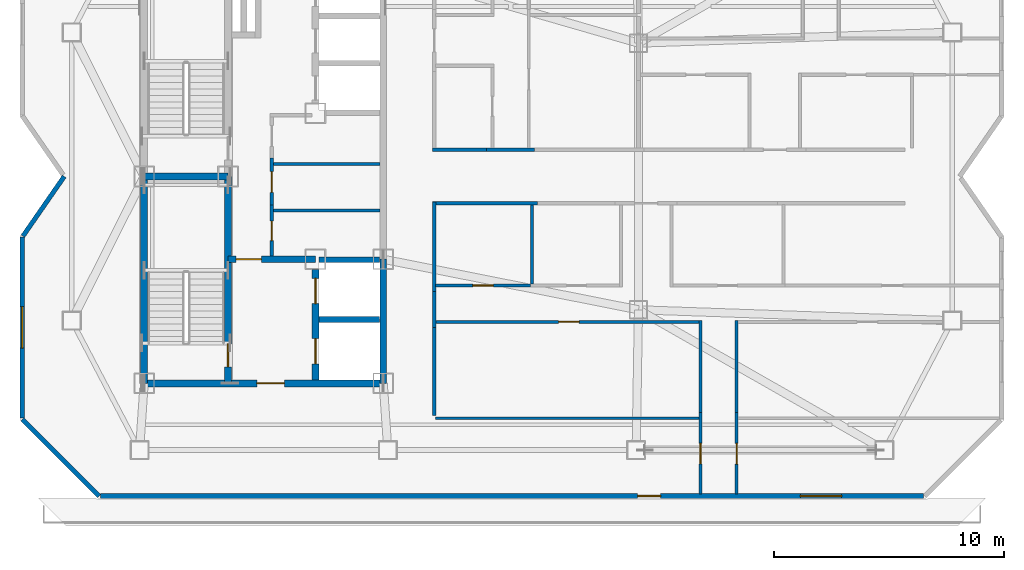
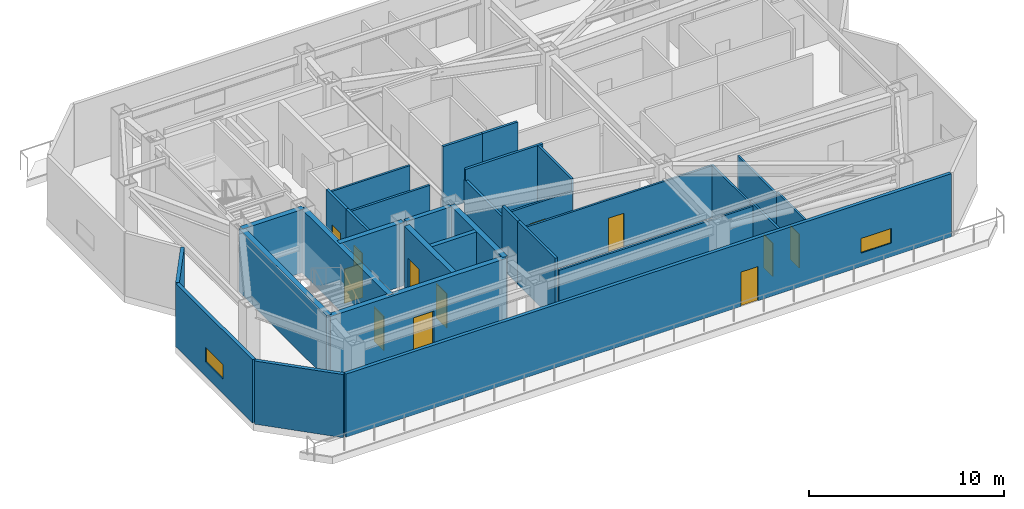
# One storey, part 4 of 11: 31 walls, 12 doors, 2 windows, 14 openings.
"""IFC4 building model written with IfcOpenShell, lengths in metres."""

from ifc_helpers import new_model, si_unit, direction, frame, frame_2d, origin, place, context, subcontext, project, spatial, rectangle, extrude, material, layer, layer_set, type_object, element, fill, save


model = new_model("IFC4")

# Units and contexts
model_context = context("Model", 3, precision=1e-05, world=origin(), true_north=direction((0.0, 1.0)))
body_context = subcontext(model_context, "Body", "Model", "MODEL_VIEW")
ifc_project = project(units=[si_unit("LENGTHUNIT", "METRE"), si_unit("AREAUNIT", "SQUARE_METRE"), si_unit("VOLUMEUNIT", "CUBIC_METRE"), si_unit("PLANEANGLEUNIT", "RADIAN"), si_unit("MASSUNIT", "GRAM", prefix="KILO")], contexts=[model_context])

# Site, building, storey
site_placement = place(None, origin())
site = spatial("IfcSite", under=ifc_project, at=site_placement, CompositionType="ELEMENT")
building_placement = place(site_placement, origin())
building = spatial("IfcBuilding", under=site, at=building_placement, Name="Khamvora Tower", CompositionType="ELEMENT")
storey_placement = place(building_placement, frame((0.0, 0.0, 277.85009765625)))
storey = spatial("IfcBuildingStorey", under=building, at=storey_placement, Name="L71", CompositionType="ELEMENT", Elevation=277.85009765625)

# Wall
ifc_material_1 = material(Name="Concrete C50/60", Category="concrete")
ifc_layer_1 = layer(ifc_material_1, 0.300048828125)
ifc_layer_set_1 = layer_set([ifc_layer_1], Name="Concrete C50/60")
wall_type_1 = type_object("IfcWallType", Name="WAL-CORE-300", PredefinedType="SHEAR", material=ifc_layer_set_1)
wall_1_placement = place(storey_placement, frame((29.0, 19.0, 0.0), z_axis=(0.0, 0.0, 1.0), x_axis=(0.0, 1.0, 0.0)))
element("IfcWall", 1, at=wall_1_placement, inside=storey, type_object=wall_type_1, Name="L71 central core west south wall", PredefinedType="SHEAR", context=body_context, shape_type="SweptSolid", body=[
    extrude(rectangle(XDim=9.0, YDim=0.300048828125, at=frame_2d((4.5, 0.0))), origin(), (0.0, 0.0, 1.0), 3.949951171875),
])

# Wall, opening, door
wall_2_placement = place(storey_placement, frame((29.0, 19.0, 0.0), z_axis=(0.0, 0.0, 1.0), x_axis=(1.0, 0.0, 0.0)))
wall_2 = element("IfcWall", 2, at=wall_2_placement, inside=storey, type_object=wall_type_1, Name="L71 central core south wall", PredefinedType="SHEAR", context=body_context, shape_type="SweptSolid", body=[
    extrude(rectangle(XDim=10.39990234375, YDim=0.300048828125, at=frame_2d((5.199951171875, 0.0))), origin(), (0.0, 0.0, 1.0), 3.949951171875),
])
opening_1_placement = place(wall_2_placement, frame((4.89990234375, 0.0, 0.0)))
opening_1 = element("IfcOpeningElement", 3, at=opening_1_placement, cuts=wall_2, Name="Opening D-CR1", PredefinedType="OPENING", context=body_context, shape_type="SweptSolid", body=[
    extrude(rectangle(XDim=1.199951171875, YDim=2.14990234375, at=frame_2d((0.60009765625, 1.074951171875))), frame((0.0, 0.159912109375, 0.0), z_axis=(0.0, -1.0, 0.0), x_axis=(1.0, 0.0, 0.0)), (0.0, 0.0, 1.0), 0.320068359375),
])
ifc_material_2 = material(Name="Powder-Coated Steel and Hardwood Leaf", Category="steel")
door_type_1 = type_object("IfcDoorType", Name="DOR-CORR-1200", OperationType="NOTDEFINED", PredefinedType="DOOR", material=ifc_material_2)
door_1_placement = place(opening_1_placement, origin())
door_1 = element("IfcDoor", 4, at=door_1_placement, inside=storey, type_object=door_type_1, Name="L71 south core lobby to corridor fire door", OperationType="SINGLE_SWING_RIGHT", OverallHeight=2.14990234375, OverallWidth=1.199951171875, PredefinedType="DOOR", context=body_context, shape_type="SweptSolid", body=[
    extrude(rectangle(XDim=1.199951171875, YDim=2.14990234375, at=frame_2d((0.60009765625, 1.074951171875))), frame((0.0, 0.02490234375, 0.0), z_axis=(0.0, -1.0, 0.0), x_axis=(1.0, 0.0, 0.0)), (0.0, 0.0, 1.0), 0.050048828125),
])
fill(opening_1, door_1)

# Wall
wall_3_placement = place(storey_placement, frame((39.39990234375, 19.0, 0.0), z_axis=(0.0, 0.0, 1.0), x_axis=(0.0, 1.0, 0.0)))
element("IfcWall", 5, at=wall_3_placement, inside=storey, type_object=wall_type_1, Name="L71 central core east south wall", PredefinedType="SHEAR", context=body_context, shape_type="SweptSolid", body=[
    extrude(rectangle(XDim=5.39990234375, YDim=0.300048828125, at=frame_2d((2.699951171875, 0.0))), origin(), (0.0, 0.0, 1.0), 3.949951171875),
])

# Wall, opening, door
wall_4_placement = place(storey_placement, frame((32.64990234375, 19.0, 0.0), z_axis=(0.0, 0.0, 1.0), x_axis=(0.0, 1.0, 0.0)))
wall_4 = element("IfcWall", 6, at=wall_4_placement, inside=storey, type_object=wall_type_1, Name="L71 central core stair south spine wall", PredefinedType="SHEAR", context=body_context, shape_type="SweptSolid", body=[
    extrude(rectangle(XDim=9.0, YDim=0.300048828125, at=frame_2d((4.5, 0.0))), origin(), (0.0, 0.0, 1.0), 3.949951171875),
])
opening_2_placement = place(wall_4_placement, frame((0.719970703125, 0.0, 0.0)))
opening_2 = element("IfcOpeningElement", 7, at=opening_2_placement, cuts=wall_4, Name="Opening D-ST1", PredefinedType="OPENING", context=body_context, shape_type="SweptSolid", body=[
    extrude(rectangle(XDim=1.0, YDim=2.14990234375, at=frame_2d((0.5, 1.074951171875))), frame((0.0, 0.159912109375, 0.0), z_axis=(0.0, -1.0, 0.0), x_axis=(1.0, 0.0, 0.0)), (0.0, 0.0, 1.0), 0.320068359375),
])
door_type_2 = type_object("IfcDoorType", Name="DOR-STAIR-1000", OperationType="NOTDEFINED", PredefinedType="DOOR", material=ifc_material_2)
door_2_placement = place(opening_2_placement, origin())
door_2 = element("IfcDoor", 8, at=door_2_placement, inside=storey, type_object=door_type_2, Name="L71 exit stair ST-01 fire door", OperationType="SINGLE_SWING_RIGHT", OverallHeight=2.14990234375, OverallWidth=1.0, PredefinedType="DOOR", context=body_context, shape_type="SweptSolid", body=[
    extrude(rectangle(XDim=1.0, YDim=2.14990234375, at=frame_2d((0.5, 1.074951171875))), frame((0.0, 0.02490234375, 0.0), z_axis=(0.0, -1.0, 0.0), x_axis=(1.0, 0.0, 0.0)), (0.0, 0.0, 1.0), 0.050048828125),
])
fill(opening_2, door_2)

# Wall
wall_5_placement = place(storey_placement, frame((29.0, 28.0, 0.0), z_axis=(0.0, 0.0, 1.0), x_axis=(1.0, 0.0, 0.0)))
element("IfcWall", 9, at=wall_5_placement, inside=storey, type_object=wall_type_1, Name="L71 central core stair cross wall", PredefinedType="SHEAR", context=body_context, shape_type="SweptSolid", body=[
    extrude(rectangle(XDim=3.64990234375, YDim=0.300048828125, at=frame_2d((1.824951171875, 0.0))), origin(), (0.0, 0.0, 1.0), 3.949951171875),
])

# Wall, opening, door
wall_6_placement = place(storey_placement, frame((32.64990234375, 24.39990234375, 0.0), z_axis=(0.0, 0.0, 1.0), x_axis=(1.0, 0.0, 0.0)))
wall_6 = element("IfcWall", 10, at=wall_6_placement, inside=storey, type_object=wall_type_1, Name="L71 central core firefighting lobby north wall", PredefinedType="SHEAR", context=body_context, shape_type="SweptSolid", body=[
    extrude(rectangle(XDim=3.800048828125, YDim=0.300048828125, at=frame_2d((1.89990234375, 0.0))), origin(), (0.0, 0.0, 1.0), 3.949951171875),
])
opening_3_placement = place(wall_6_placement, frame((0.35009765625, 0.0, 0.0)))
opening_3 = element("IfcOpeningElement", 11, at=opening_3_placement, cuts=wall_6, Name="Opening D-FF1", PredefinedType="OPENING", context=body_context, shape_type="SweptSolid", body=[
    extrude(rectangle(XDim=1.10009765625, YDim=2.14990234375, at=frame_2d((0.550048828125, 1.074951171875))), frame((0.0, 0.159912109375, 0.0), z_axis=(0.0, -1.0, 0.0), x_axis=(1.0, 0.0, 0.0)), (0.0, 0.0, 1.0), 0.320068359375),
])
door_type_3 = type_object("IfcDoorType", Name="DOR-FFLOB-1100", OperationType="NOTDEFINED", PredefinedType="DOOR", material=ifc_material_2)
door_3_placement = place(opening_3_placement, origin())
door_3 = element("IfcDoor", 12, at=door_3_placement, inside=storey, type_object=door_type_3, Name="L71 firefighting lobby smoke-seal fire door", OperationType="SINGLE_SWING_LEFT", OverallHeight=2.14990234375, OverallWidth=1.10009765625, PredefinedType="DOOR", context=body_context, shape_type="SweptSolid", body=[
    extrude(rectangle(XDim=1.10009765625, YDim=2.14990234375, at=frame_2d((0.550048828125, 1.074951171875))), frame((0.0, 0.02490234375, 0.0), z_axis=(0.0, -1.0, 0.0), x_axis=(1.0, 0.0, 0.0)), (0.0, 0.0, 1.0), 0.050048828125),
])
fill(opening_3, door_3)

# Wall, openings, doors
wall_7_placement = place(storey_placement, frame((36.449951171875, 19.154052734375, 0.0), z_axis=(0.0, 0.0, 1.0), x_axis=(0.0, 1.0, 0.0)))
wall_7 = element("IfcWall", 13, at=wall_7_placement, inside=storey, type_object=wall_type_1, Name="L71 central core lift bank south wall", PredefinedType="SHEAR", context=body_context, shape_type="SweptSolid", body=[
    extrude(rectangle(XDim=4.7958984375, YDim=0.300048828125, at=frame_2d((2.39794921875, 0.0))), origin(), (0.0, 0.0, 1.0), 3.949951171875),
])
opening_4_placement = place(wall_7_placement, frame((0.696044921875, 0.0, 0.0)))
opening_4 = element("IfcOpeningElement", 14, at=opening_4_placement, cuts=wall_7, Name="Opening LD-FFL", PredefinedType="OPENING", context=body_context, shape_type="SweptSolid", body=[
    extrude(rectangle(XDim=1.10009765625, YDim=2.14990234375, at=frame_2d((0.550048828125, 1.074951171875))), frame((0.0, 0.159912109375, 0.0), z_axis=(0.0, -1.0, 0.0), x_axis=(1.0, 0.0, 0.0)), (0.0, 0.0, 1.0), 0.320068359375),
])
opening_5_placement = place(wall_7_placement, frame((3.31591796875, 0.0, 0.0)))
opening_5 = element("IfcOpeningElement", 15, at=opening_5_placement, cuts=wall_7, Name="Opening LD-FFL", PredefinedType="OPENING", context=body_context, shape_type="SweptSolid", body=[
    extrude(rectangle(XDim=1.10009765625, YDim=2.14990234375, at=frame_2d((0.550048828125, 1.074951171875))), frame((0.0, 0.159912109375, 0.0), z_axis=(0.0, -1.0, 0.0), x_axis=(1.0, 0.0, 0.0)), (0.0, 0.0, 1.0), 0.320068359375),
])
door_type_4 = type_object("IfcDoorType", Name="DOR-LIFT-1100", OperationType="SLIDING_TO_LEFT", PredefinedType="DOOR", material=ifc_material_2)
door_4_placement = place(opening_4_placement, origin())
door_4 = element("IfcDoor", 16, at=door_4_placement, inside=storey, type_object=door_type_4, Name="L71 lift landing sliding door FFL-01", OperationType="SLIDING_TO_LEFT", OverallHeight=2.14990234375, OverallWidth=1.10009765625, PredefinedType="DOOR", context=body_context, shape_type="SweptSolid", body=[
    extrude(rectangle(XDim=1.10009765625, YDim=2.14990234375, at=frame_2d((0.550048828125, 1.074951171875))), frame((0.0, 0.02490234375, 0.0), z_axis=(0.0, -1.0, 0.0), x_axis=(1.0, 0.0, 0.0)), (0.0, 0.0, 1.0), 0.050048828125),
])
fill(opening_4, door_4)
door_5_placement = place(opening_5_placement, origin())
door_5 = element("IfcDoor", 17, at=door_5_placement, inside=storey, type_object=door_type_4, Name="L71 lift landing sliding door FFL-02", OperationType="SLIDING_TO_LEFT", OverallHeight=2.14990234375, OverallWidth=1.10009765625, PredefinedType="DOOR", context=body_context, shape_type="SweptSolid", body=[
    extrude(rectangle(XDim=1.10009765625, YDim=2.14990234375, at=frame_2d((0.550048828125, 1.074951171875))), frame((0.0, 0.02490234375, 0.0), z_axis=(0.0, -1.0, 0.0), x_axis=(1.0, 0.0, 0.0)), (0.0, 0.0, 1.0), 0.050048828125),
])
fill(opening_5, door_5)

# Wall, opening, door
ifc_material_3 = material(Name="Fire-Rated Drywall and Steel Stud", Category="steel")
ifc_layer_2 = layer(ifc_material_3, 0.14990234375)
ifc_layer_set_2 = layer_set([ifc_layer_2], Name="Fire-Rated Drywall and Steel Stud")
wall_type_2 = type_object("IfcWallType", Name="WAL-CORR-150", PredefinedType="STANDARD", material=ifc_layer_set_2)
wall_8_placement = place(storey_placement, frame((34.544921875, 26.763916015625, 0.0), z_axis=(0.0, 0.0, 1.0), x_axis=(0.0, -1.0, 0.0)))
wall_8 = element("IfcWall", 18, at=wall_8_placement, inside=storey, type_object=wall_type_2, Name="L71 interior partition wall 001", PredefinedType="STANDARD", context=body_context, shape_type="SweptSolid", body=[
    extrude(rectangle(XDim=2.219970703125, YDim=0.14990234375, at=frame_2d((1.10986328125, 0.0))), origin(), (0.0, 0.0, 1.0), 3.949951171875),
])
opening_6_placement = place(wall_8_placement, frame((0.7060546875, 0.0, 0.0)))
opening_6 = element("IfcOpeningElement", 19, at=opening_6_placement, cuts=wall_8, Name="Opening D-WC1", PredefinedType="OPENING", context=body_context, shape_type="SweptSolid", body=[
    extrude(rectangle(XDim=0.85009765625, YDim=2.10009765625, at=frame_2d((0.425048828125, 1.050048828125))), frame((0.0, 0.0849609375, 0.0), z_axis=(0.0, -1.0, 0.0), x_axis=(1.0, 0.0, 0.0)), (0.0, 0.0, 1.0), 0.169921875),
])
door_type_5 = type_object("IfcDoorType", Name="DOR-WET-850", OperationType="NOTDEFINED", PredefinedType="DOOR", material=ifc_material_2)
door_6_placement = place(opening_6_placement, origin())
door_6 = element("IfcDoor", 20, at=door_6_placement, inside=storey, type_object=door_type_5, Name="L71 interior door PHL-CS1", OperationType="SINGLE_SWING_RIGHT", OverallHeight=2.10009765625, OverallWidth=0.85009765625, PredefinedType="DOOR", context=body_context, shape_type="SweptSolid", body=[
    extrude(rectangle(XDim=0.85009765625, YDim=2.10009765625, at=frame_2d((0.425048828125, 1.050048828125))), frame((0.0, 0.02490234375, 0.0), z_axis=(0.0, -1.0, 0.0), x_axis=(1.0, 0.0, 0.0)), (0.0, 0.0, 1.0), 0.050048828125),
])
fill(opening_6, door_6)

wall_9_placement = place(storey_placement, frame((34.544921875, 28.7939453125, 0.0), z_axis=(0.0, 0.0, 1.0), x_axis=(0.0, -1.0, 0.0)))
wall_9 = element("IfcWall", 21, at=wall_9_placement, inside=storey, type_object=wall_type_2, Name="L71 interior partition wall 002", PredefinedType="STANDARD", context=body_context, shape_type="SweptSolid", body=[
    extrude(rectangle(XDim=2.030029296875, YDim=0.14990234375, at=frame_2d((1.01513671875, 0.0))), origin(), (0.0, 0.0, 1.0), 3.949951171875),
])
opening_7_placement = place(wall_9_placement, frame((0.5859375, 0.0, 0.0)))
opening_7 = element("IfcOpeningElement", 22, at=opening_7_placement, cuts=wall_9, Name="Opening D-RM1", PredefinedType="OPENING", context=body_context, shape_type="SweptSolid", body=[
    extrude(rectangle(XDim=0.89990234375, YDim=2.10009765625, at=frame_2d((0.449951171875, 1.050048828125))), frame((0.0, 0.0849609375, 0.0), z_axis=(0.0, -1.0, 0.0), x_axis=(1.0, 0.0, 0.0)), (0.0, 0.0, 1.0), 0.169921875),
])
door_type_6 = type_object("IfcDoorType", Name="DOR-ROOM-900", OperationType="NOTDEFINED", PredefinedType="DOOR", material=ifc_material_2)
door_7_placement = place(opening_7_placement, origin())
door_7 = element("IfcDoor", 23, at=door_7_placement, inside=storey, type_object=door_type_6, Name="L71 interior door PHL-CS2", OperationType="SINGLE_SWING_LEFT", OverallHeight=2.10009765625, OverallWidth=0.89990234375, PredefinedType="DOOR", context=body_context, shape_type="SweptSolid", body=[
    extrude(rectangle(XDim=0.89990234375, YDim=2.10009765625, at=frame_2d((0.449951171875, 1.050048828125))), frame((0.0, 0.02490234375, 0.0), z_axis=(0.0, -1.0, 0.0), x_axis=(1.0, 0.0, 0.0)), (0.0, 0.0, 1.0), 0.050048828125),
])
fill(opening_7, door_7)

# Walls
wall_10_placement = place(storey_placement, frame((46.1201171875, 26.8349609375, 0.0), z_axis=(0.0, 0.0, 1.0), x_axis=(-1.0, 0.0, 0.0)))
element("IfcWall", 24, at=wall_10_placement, inside=storey, type_object=wall_type_2, Name="L71 interior partition wall 008", PredefinedType="STANDARD", context=body_context, shape_type="SweptSolid", body=[
    extrude(rectangle(XDim=4.570068359375, YDim=0.14990234375, at=frame_2d((2.28515625, 0.0))), origin(), (0.0, 0.0, 1.0), 3.949951171875),
])
wall_11_placement = place(storey_placement, frame((41.614990234375, 26.89794921875, 0.0), z_axis=(0.0, 0.0, 1.0), x_axis=(0.0, -1.0, 0.0)))
element("IfcWall", 25, at=wall_11_placement, inside=storey, type_object=wall_type_2, Name="L71 interior partition wall 009", PredefinedType="STANDARD", context=body_context, shape_type="SweptSolid", body=[
    extrude(rectangle(XDim=3.891845703125, YDim=0.14990234375, at=frame_2d((1.94580078125, 0.0))), origin(), (0.0, 0.0, 1.0), 3.244873046875),
])
wall_12_placement = place(storey_placement, frame((41.614990234375, 23.006103515625, 0.0), z_axis=(0.0, 0.0, 1.0), x_axis=(0.0, -1.0, 0.0)))
element("IfcWall", 26, at=wall_12_placement, inside=storey, type_object=wall_type_2, Name="L71 interior partition wall 012", PredefinedType="STANDARD", context=body_context, shape_type="SweptSolid", body=[
    extrude(rectangle(XDim=1.580078125, YDim=0.14990234375, at=frame_2d((0.7900390625, 0.0))), origin(), (0.0, 0.0, 1.0), 3.949951171875),
])
wall_13_placement = place(storey_placement, frame((41.614990234375, 21.426025390625, 0.0), z_axis=(0.0, 0.0, 1.0), x_axis=(0.0, -1.0, 0.0)))
element("IfcWall", 27, at=wall_13_placement, inside=storey, type_object=wall_type_2, Name="L71 interior partition wall 015", PredefinedType="STANDARD", context=body_context, shape_type="SweptSolid", body=[
    extrude(rectangle(XDim=3.825927734375, YDim=0.14990234375, at=frame_2d((1.9130859375, 0.0))), origin(), (0.0, 0.0, 1.0), 3.949951171875),
])
wall_14_placement = place(storey_placement, frame((43.89599609375, 29.1650390625, 0.0), z_axis=(0.0, 0.0, 1.0), x_axis=(1.0, 0.0, 0.0)))
element("IfcWall", 28, at=wall_14_placement, inside=storey, type_object=wall_type_2, Name="L71 interior partition wall 016", PredefinedType="STANDARD", context=body_context, shape_type="SweptSolid", body=[
    extrude(rectangle(XDim=2.078125, YDim=0.14990234375, at=frame_2d((1.0390625, 0.0))), origin(), (0.0, 0.0, 1.0), 3.949951171875),
])
wall_15_placement = place(storey_placement, frame((41.550048828125, 29.1650390625, 0.0), z_axis=(0.0, 0.0, 1.0), x_axis=(1.0, 0.0, 0.0)))
element("IfcWall", 29, at=wall_15_placement, inside=storey, type_object=wall_type_2, Name="L71 interior partition wall 018", PredefinedType="STANDARD", context=body_context, shape_type="SweptSolid", body=[
    extrude(rectangle(XDim=2.345947265625, YDim=0.14990234375, at=frame_2d((1.1728515625, 0.0))), origin(), (0.0, 0.0, 1.0), 3.949951171875),
])
ifc_material_4 = material(Name="Precast concrete C40/50", Category="concrete")
ifc_layer_3 = layer(ifc_material_4, 0.199951171875)
ifc_layer_set_3 = layer_set([ifc_layer_3], Name="Precast concrete C40/50")
wall_type_3 = type_object("IfcWallType", Name="WAL-EXT-200", PredefinedType="STANDARD", material=ifc_layer_set_3)
wall_16_placement = place(storey_placement, frame((27.041015625, 14.10009765625, 0.0), z_axis=(0.0, 0.0, 1.0), x_axis=(-0.707132616762, 0.707080944667, 0.0)))
element("IfcWall", 30, at=wall_16_placement, inside=storey, type_object=wall_type_3, Name="L71 exterior facade wall 01.1", PredefinedType="STANDARD", context=body_context, shape_type="SweptSolid", body=[
    extrude(rectangle(XDim=4.724853515625, YDim=0.199951171875, at=frame_2d((2.3623046875, 0.0))), origin(), (0.0, 0.0, 1.0), 3.949951171875),
])

# Wall, opening, window
wall_17_placement = place(storey_placement, frame((23.699951171875, 17.50390625, 0.0), z_axis=(0.0, 0.0, 1.0), x_axis=(0.0, 1.0, 0.0)))
wall_17 = element("IfcWall", 31, at=wall_17_placement, inside=storey, type_object=wall_type_3, Name="L71 exterior facade wall 02.1", PredefinedType="STANDARD", context=body_context, shape_type="SweptSolid", body=[
    extrude(rectangle(XDim=7.864990234375, YDim=0.199951171875, at=frame_2d((3.9326171875, 0.0))), origin(), (0.0, 0.0, 1.0), 3.949951171875),
])
opening_8_placement = place(wall_17_placement, frame((3.031982421875, 0.0, 0.89990234375)))
opening_8 = element("IfcOpeningElement", 32, at=opening_8_placement, cuts=wall_17, Name="Opening WN-09", PredefinedType="OPENING", context=body_context, shape_type="SweptSolid", body=[
    extrude(rectangle(XDim=1.800048828125, YDim=0.919921875, at=frame_2d((0.89990234375, 0.4599609375))), frame((0.0, 0.10986328125, 0.0), z_axis=(0.0, -1.0, 0.0), x_axis=(1.0, 0.0, 0.0)), (0.0, 0.0, 1.0), 0.219970703125),
])
ifc_material_5 = material(Name="Low-E Laminated Double Glazing", Category="glass")
window_type = type_object("IfcWindowType", Name="WIN-CLR-1800x920", PartitioningType="SINGLE_PANEL", PredefinedType="WINDOW", material=ifc_material_5)
window_1_placement = place(opening_8_placement, origin())
window_1 = element("IfcWindow", 33, at=window_1_placement, inside=storey, type_object=window_type, Name="L71 vision window 02.1.01", OverallHeight=0.919921875, OverallWidth=1.800048828125, PartitioningType="SINGLE_PANEL", PredefinedType="WINDOW", context=body_context, shape_type="SweptSolid", body=[
    extrude(rectangle(XDim=1.800048828125, YDim=0.919921875, at=frame_2d((0.89990234375, 0.4599609375))), frame((0.0, 0.030029296875, 0.0), z_axis=(0.0, -1.0, 0.0), x_axis=(1.0, 0.0, 0.0)), (0.0, 0.0, 1.0), 0.06005859375),
])
fill(opening_8, window_1)

# Wall
wall_18_placement = place(storey_placement, frame((23.72705078125, 25.407958984375, 0.0), z_axis=(0.0, 0.0, 1.0), x_axis=(0.569302587555, 0.822128070195, 0.0)))
element("IfcWall", 34, at=wall_18_placement, inside=storey, type_object=wall_type_3, Name="L71 exterior facade wall 03.1", PredefinedType="STANDARD", context=body_context, shape_type="SweptSolid", body=[
    extrude(rectangle(XDim=3.15283203125, YDim=0.199951171875, at=frame_2d((1.576416015625, 0.0))), origin(), (0.0, 0.0, 1.0), 3.949951171875),
])

# Wall, openings, door, window
wall_19_placement = place(storey_placement, frame((62.89599609375, 14.10009765625, 0.0), z_axis=(0.0, 0.0, 1.0), x_axis=(-1.0, 0.0, 0.0)))
wall_19 = element("IfcWall", 35, at=wall_19_placement, inside=storey, type_object=wall_type_3, Name="L71 exterior facade wall 14.1", PredefinedType="STANDARD", context=body_context, shape_type="SweptSolid", body=[
    extrude(rectangle(XDim=35.79296875, YDim=0.199951171875, at=frame_2d((17.896484375, 0.0))), origin(), (0.0, 0.0, 1.0), 3.949951171875),
])
opening_9_placement = place(wall_19_placement, frame((11.430908203125, 0.0, 0.0)))
opening_9 = element("IfcOpeningElement", 36, at=opening_9_placement, cuts=wall_19, Name="Opening BD-02", PredefinedType="OPENING", context=body_context, shape_type="SweptSolid", body=[
    extrude(rectangle(XDim=1.0, YDim=2.14990234375, at=frame_2d((0.5, 1.074951171875))), frame((0.0, 0.10986328125, 0.0), z_axis=(0.0, -1.0, 0.0), x_axis=(1.0, 0.0, 0.0)), (0.0, 0.0, 1.0), 0.219970703125),
])
opening_10_placement = place(wall_19_placement, frame((3.554931640625, 0.0, 0.85009765625)))
opening_10 = element("IfcOpeningElement", 37, at=opening_10_placement, cuts=wall_19, Name="Opening WN-09", PredefinedType="OPENING", context=body_context, shape_type="SweptSolid", body=[
    extrude(rectangle(XDim=1.800048828125, YDim=0.919921875, at=frame_2d((0.89990234375, 0.4599609375))), frame((0.0, 0.10986328125, 0.0), z_axis=(0.0, -1.0, 0.0), x_axis=(1.0, 0.0, 0.0)), (0.0, 0.0, 1.0), 0.219970703125),
])
ifc_material_6 = material(Name="Anodised Aluminium and Laminated Safety Glass", Category="aluminium")
door_type_7 = type_object("IfcDoorType", Name="DOR-BAL-1000", OperationType="NOTDEFINED", PredefinedType="DOOR", material=ifc_material_6)
door_8_placement = place(opening_9_placement, origin())
door_8 = element("IfcDoor", 38, at=door_8_placement, inside=storey, type_object=door_type_7, Name="L71 stepped roof terrace access door S", OperationType="SLIDING_TO_LEFT", OverallHeight=2.14990234375, OverallWidth=1.0, PredefinedType="DOOR", context=body_context, shape_type="SweptSolid", body=[
    extrude(rectangle(XDim=1.0, YDim=2.14990234375, at=frame_2d((0.5, 1.074951171875))), frame((0.0, 0.02490234375, 0.0), z_axis=(0.0, -1.0, 0.0), x_axis=(1.0, 0.0, 0.0)), (0.0, 0.0, 1.0), 0.050048828125),
])
fill(opening_9, door_8)
window_2_placement = place(opening_10_placement, origin())
window_2 = element("IfcWindow", 39, at=window_2_placement, inside=storey, type_object=window_type, Name="L71 vision window 14.1.01", OverallHeight=0.919921875, OverallWidth=1.800048828125, PartitioningType="SINGLE_PANEL", PredefinedType="WINDOW", context=body_context, shape_type="SweptSolid", body=[
    extrude(rectangle(XDim=1.800048828125, YDim=0.919921875, at=frame_2d((0.89990234375, 0.4599609375))), frame((0.0, 0.030029296875, 0.0), z_axis=(0.0, -1.0, 0.0), x_axis=(1.0, 0.0, 0.0)), (0.0, 0.0, 1.0), 0.06005859375),
])
fill(opening_10, window_2)

# Wall
ifc_material_7 = material(Name="Gypsum Plasterboard Partition", Category="gypsum")
ifc_layer_4 = layer(ifc_material_7, 0.1201171875)
ifc_layer_set_4 = layer_set([ifc_layer_4], Name="Gypsum Plasterboard Partition")
wall_type_4 = type_object("IfcWallType", Name="WAL-PART-120", PredefinedType="PARTITIONING", material=ifc_layer_set_4)
wall_20_placement = place(storey_placement, frame((34.612060546875, 28.544921875, 0.0), z_axis=(0.0, 0.0, 1.0), x_axis=(1.0, 0.0, 0.0)))
element("IfcWall", 40, at=wall_20_placement, inside=storey, type_object=wall_type_4, Name="L71 interior partition wall 006", PredefinedType="PARTITIONING", context=body_context, shape_type="SweptSolid", body=[
    extrude(rectangle(XDim=4.64404296875, YDim=0.1201171875, at=frame_2d((2.322021484375, 0.0))), origin(), (0.0, 0.0, 1.0), 3.949951171875),
])

# Wall, opening, door
wall_21_placement = place(storey_placement, frame((45.805908203125, 23.2548828125, 0.0), z_axis=(0.0, 0.0, 1.0), x_axis=(-1.0, 0.0, 0.0)))
wall_21 = element("IfcWall", 41, at=wall_21_placement, inside=storey, type_object=wall_type_4, Name="L71 interior partition wall 025", PredefinedType="PARTITIONING", context=body_context, shape_type="SweptSolid", body=[
    extrude(rectangle(XDim=4.1240234375, YDim=0.1201171875, at=frame_2d((2.06201171875, 0.0))), origin(), (0.0, 0.0, 1.0), 3.244873046875),
])
opening_11_placement = place(wall_21_placement, frame((1.612060546875, 0.0, 0.0)))
opening_11 = element("IfcOpeningElement", 42, at=opening_11_placement, cuts=wall_21, Name="Opening D-RM1", PredefinedType="OPENING", context=body_context, shape_type="SweptSolid", body=[
    extrude(rectangle(XDim=0.89990234375, YDim=2.10009765625, at=frame_2d((0.449951171875, 1.050048828125))), frame((0.0, 0.070068359375, 0.0), z_axis=(0.0, -1.0, 0.0), x_axis=(1.0, 0.0, 0.0)), (0.0, 0.0, 1.0), 0.14013671875),
])
door_9_placement = place(opening_11_placement, origin())
door_9 = element("IfcDoor", 43, at=door_9_placement, inside=storey, type_object=door_type_6, Name="L71 interior door 71BW1-71BH", OperationType="SINGLE_SWING_LEFT", OverallHeight=2.10009765625, OverallWidth=0.89990234375, PredefinedType="DOOR", context=body_context, shape_type="SweptSolid", body=[
    extrude(rectangle(XDim=0.89990234375, YDim=2.10009765625, at=frame_2d((0.449951171875, 1.050048828125))), frame((0.0, 0.02490234375, 0.0), z_axis=(0.0, -1.0, 0.0), x_axis=(1.0, 0.0, 0.0)), (0.0, 0.0, 1.0), 0.050048828125),
])
fill(opening_11, door_9)

wall_22_placement = place(storey_placement, frame((53.199951171875, 14.19189453125, 0.0), z_axis=(0.0, 0.0, 1.0), x_axis=(0.0, 1.0, 0.0)))
wall_22 = element("IfcWall", 44, at=wall_22_placement, inside=storey, type_object=wall_type_4, Name="L71 interior partition wall 033", PredefinedType="PARTITIONING", context=body_context, shape_type="SweptSolid", body=[
    extrude(rectangle(XDim=3.546142578125, YDim=0.1201171875, at=frame_2d((1.77294921875, 0.0))), origin(), (0.0, 0.0, 1.0), 3.406982421875),
])
opening_12_placement = place(wall_22_placement, frame((1.302001953125, 0.0, 0.0)))
opening_12 = element("IfcOpeningElement", 45, at=opening_12_placement, cuts=wall_22, Name="Opening D-RM1", PredefinedType="OPENING", context=body_context, shape_type="SweptSolid", body=[
    extrude(rectangle(XDim=0.89990234375, YDim=2.10009765625, at=frame_2d((0.449951171875, 1.050048828125))), frame((0.0, 0.070068359375, 0.0), z_axis=(0.0, -1.0, 0.0), x_axis=(1.0, 0.0, 0.0)), (0.0, 0.0, 1.0), 0.14013671875),
])
door_10_placement = place(opening_12_placement, origin())
door_10 = element("IfcDoor", 46, at=door_10_placement, inside=storey, type_object=door_type_6, Name="L71 interior door 71BH-71BR1", OperationType="SINGLE_SWING_LEFT", OverallHeight=2.10009765625, OverallWidth=0.89990234375, PredefinedType="DOOR", context=body_context, shape_type="SweptSolid", body=[
    extrude(rectangle(XDim=0.89990234375, YDim=2.10009765625, at=frame_2d((0.449951171875, 1.050048828125))), frame((0.0, 0.02490234375, 0.0), z_axis=(0.0, -1.0, 0.0), x_axis=(1.0, 0.0, 0.0)), (0.0, 0.0, 1.0), 0.050048828125),
])
fill(opening_12, door_10)

# Wall
wall_23_placement = place(storey_placement, frame((53.199951171875, 17.738037109375, 0.0), z_axis=(0.0, 0.0, 1.0), x_axis=(0.0, 1.0, 0.0)))
element("IfcWall", 47, at=wall_23_placement, inside=storey, type_object=wall_type_4, Name="L71 interior partition wall 034", PredefinedType="PARTITIONING", context=body_context, shape_type="SweptSolid", body=[
    extrude(rectangle(XDim=4.001953125, YDim=0.1201171875, at=frame_2d((2.0009765625, 0.0))), origin(), (0.0, 0.0, 1.0), 3.244873046875),
])

# Wall, opening, door
wall_24_placement = place(storey_placement, frame((53.264892578125, 21.675048828125, 0.0), z_axis=(0.0, 0.0, 1.0), x_axis=(-1.0, 0.0, 0.0)))
wall_24 = element("IfcWall", 48, at=wall_24_placement, inside=storey, type_object=wall_type_4, Name="L71 interior partition wall 035", PredefinedType="PARTITIONING", context=body_context, shape_type="SweptSolid", body=[
    extrude(rectangle(XDim=11.5830078125, YDim=0.1201171875, at=frame_2d((5.79150390625, 0.0))), origin(), (0.0, 0.0, 1.0), 3.244873046875),
])
opening_13_placement = place(wall_24_placement, frame((5.341064453125, 0.0, 0.0)))
opening_13 = element("IfcOpeningElement", 49, at=opening_13_placement, cuts=wall_24, Name="Opening D-RM1", PredefinedType="OPENING", context=body_context, shape_type="SweptSolid", body=[
    extrude(rectangle(XDim=0.89990234375, YDim=2.10009765625, at=frame_2d((0.449951171875, 1.050048828125))), frame((0.0, 0.070068359375, 0.0), z_axis=(0.0, -1.0, 0.0), x_axis=(1.0, 0.0, 0.0)), (0.0, 0.0, 1.0), 0.14013671875),
])
door_11_placement = place(opening_13_placement, origin())
door_11 = element("IfcDoor", 50, at=door_11_placement, inside=storey, type_object=door_type_6, Name="L71 interior door 71BH-71BR2", OperationType="SINGLE_SWING_RIGHT", OverallHeight=2.10009765625, OverallWidth=0.89990234375, PredefinedType="DOOR", context=body_context, shape_type="SweptSolid", body=[
    extrude(rectangle(XDim=0.89990234375, YDim=2.10009765625, at=frame_2d((0.449951171875, 1.050048828125))), frame((0.0, 0.02490234375, 0.0), z_axis=(0.0, -1.0, 0.0), x_axis=(1.0, 0.0, 0.0)), (0.0, 0.0, 1.0), 0.050048828125),
])
fill(opening_13, door_11)

wall_25_placement = place(storey_placement, frame((54.77001953125, 17.738037109375, 0.0), z_axis=(0.0, 0.0, 1.0), x_axis=(0.0, -1.0, 0.0)))
wall_25 = element("IfcWall", 51, at=wall_25_placement, inside=storey, type_object=wall_type_4, Name="L71 interior partition wall 036", PredefinedType="PARTITIONING", context=body_context, shape_type="SweptSolid", body=[
    extrude(rectangle(XDim=3.546142578125, YDim=0.1201171875, at=frame_2d((1.77294921875, 0.0))), origin(), (0.0, 0.0, 1.0), 3.406982421875),
])
opening_14_placement = place(wall_25_placement, frame((1.344970703125, 0.0, 0.0)))
opening_14 = element("IfcOpeningElement", 52, at=opening_14_placement, cuts=wall_25, Name="Opening D-RM1", PredefinedType="OPENING", context=body_context, shape_type="SweptSolid", body=[
    extrude(rectangle(XDim=0.89990234375, YDim=2.10009765625, at=frame_2d((0.449951171875, 1.050048828125))), frame((0.0, 0.070068359375, 0.0), z_axis=(0.0, -1.0, 0.0), x_axis=(1.0, 0.0, 0.0)), (0.0, 0.0, 1.0), 0.14013671875),
])
door_12_placement = place(opening_14_placement, origin())
door_12 = element("IfcDoor", 53, at=door_12_placement, inside=storey, type_object=door_type_6, Name="L71 interior door 71BH-71BR3", OperationType="SINGLE_SWING_LEFT", OverallHeight=2.10009765625, OverallWidth=0.89990234375, PredefinedType="DOOR", context=body_context, shape_type="SweptSolid", body=[
    extrude(rectangle(XDim=0.89990234375, YDim=2.10009765625, at=frame_2d((0.449951171875, 1.050048828125))), frame((0.0, 0.02490234375, 0.0), z_axis=(0.0, -1.0, 0.0), x_axis=(1.0, 0.0, 0.0)), (0.0, 0.0, 1.0), 0.050048828125),
])
fill(opening_14, door_12)

# Walls
wall_26_placement = place(storey_placement, frame((54.77001953125, 21.739990234375, 0.0), z_axis=(0.0, 0.0, 1.0), x_axis=(0.0, -1.0, 0.0)))
element("IfcWall", 54, at=wall_26_placement, inside=storey, type_object=wall_type_4, Name="L71 interior partition wall 038", PredefinedType="PARTITIONING", context=body_context, shape_type="SweptSolid", body=[
    extrude(rectangle(XDim=4.001953125, YDim=0.1201171875, at=frame_2d((2.0009765625, 0.0))), origin(), (0.0, 0.0, 1.0), 3.244873046875),
])
wall_27_placement = place(storey_placement, frame((41.679931640625, 17.488037109375, 0.0), z_axis=(0.0, 0.0, 1.0), x_axis=(1.0, 0.0, 0.0)))
element("IfcWall", 55, at=wall_27_placement, inside=storey, type_object=wall_type_4, Name="L71 interior partition wall 039", PredefinedType="PARTITIONING", context=body_context, shape_type="SweptSolid", body=[
    extrude(rectangle(XDim=11.466064453125, YDim=0.1201171875, at=frame_2d((5.73291015625, 0.0))), origin(), (0.0, 0.0, 1.0), 3.244873046875),
])
ifc_material_8 = material(Name="Concrete C40/50", Category="concrete")
ifc_layer_5 = layer(ifc_material_8, 0.25)
ifc_layer_set_5 = layer_set([ifc_layer_5], Name="Concrete C40/50")
wall_type_5 = type_object("IfcWallType", Name="WAL-PODS-250", PredefinedType="SHEAR", material=ifc_layer_set_5)
for number, where, z_axis, x_axis, name in (
    (56, (36.60400390625, 21.77490234375, 0.0), (0.0, 0.0, 1.0), (1.0, 0.0, 0.0), "L71 lift shaft divider wall FFL-01"),
    (57, (36.60400390625, 24.375, 0.0), (0.0, 0.0, 1.0), (1.0, 0.0, 0.0), "L71 lift shaft divider wall FFL-02"),
):
    element("IfcWall", number, at=place(storey_placement, frame(where, z_axis=z_axis, x_axis=x_axis)), inside=storey, type_object=wall_type_5, Name=name, PredefinedType="SHEAR", context=body_context, shape_type="SweptSolid", body=[
        extrude(rectangle(XDim=2.64208984375, YDim=0.25, at=frame_2d((1.321044921875, 0.0))), origin(), (0.0, 0.0, 1.0), 3.949951171875),
    ])
ifc_material_9 = material(Name="Moisture-Resistant Plasterboard Partition", Category="gypsum")
ifc_layer_6 = layer(ifc_material_9, 0.135009765625)
ifc_layer_set_6 = layer_set([ifc_layer_6], Name="Moisture-Resistant Plasterboard Partition")
wall_type_6 = type_object("IfcWallType", Name="WAL-WET-135", PredefinedType="PARTITIONING", material=ifc_layer_set_6)
wall_28_placement = place(storey_placement, frame((34.612060546875, 26.514892578125, 0.0), z_axis=(0.0, 0.0, 1.0), x_axis=(1.0, 0.0, 0.0)))
element("IfcWall", 58, at=wall_28_placement, inside=storey, type_object=wall_type_6, Name="L71 interior partition wall 005", PredefinedType="PARTITIONING", context=body_context, shape_type="SweptSolid", body=[
    extrude(rectangle(XDim=4.64404296875, YDim=0.135009765625, at=frame_2d((2.322021484375, 0.0))), origin(), (0.0, 0.0, 1.0), 3.949951171875),
])
wall_29_placement = place(storey_placement, frame((45.87109375, 26.77001953125, 0.0), z_axis=(0.0, 0.0, 1.0), x_axis=(0.0, -1.0, 0.0)))
element("IfcWall", 59, at=wall_29_placement, inside=storey, type_object=wall_type_6, Name="L71 interior partition wall 026", PredefinedType="PARTITIONING", context=body_context, shape_type="SweptSolid", body=[
    extrude(rectangle(XDim=3.449951171875, YDim=0.135009765625, at=frame_2d((1.72509765625, 0.0))), origin(), (0.0, 0.0, 1.0), 3.949951171875),
])

save(model, "model.ifc")
